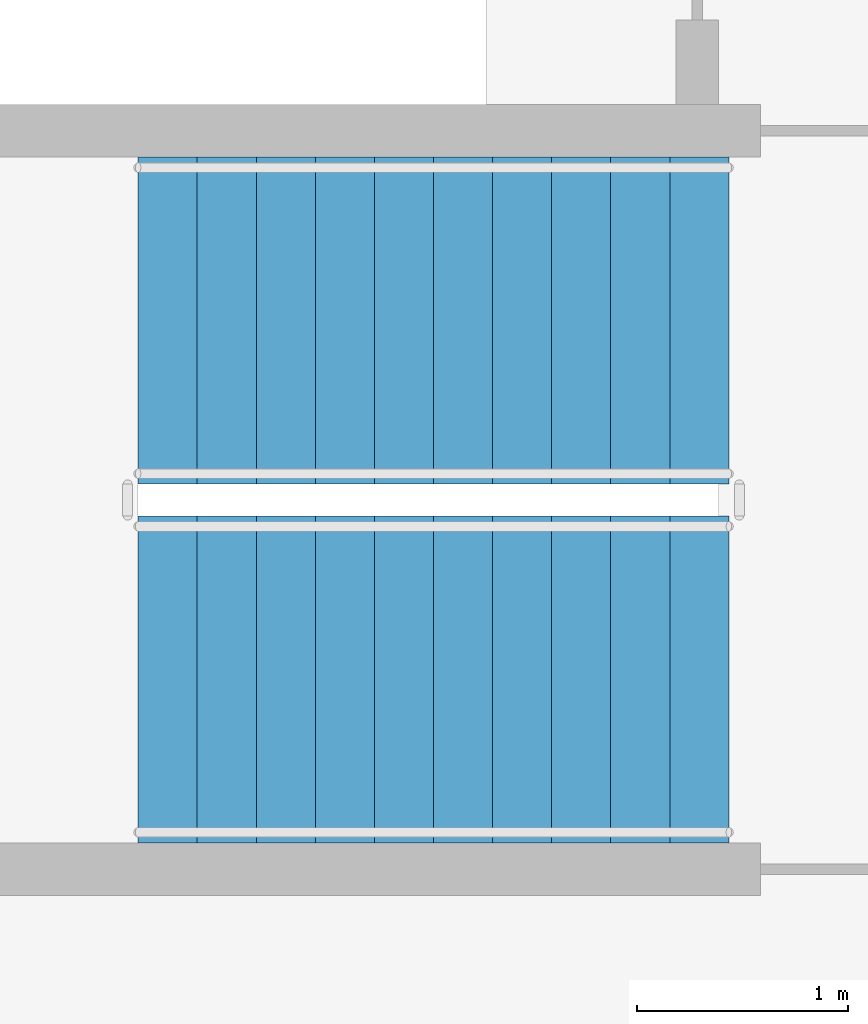
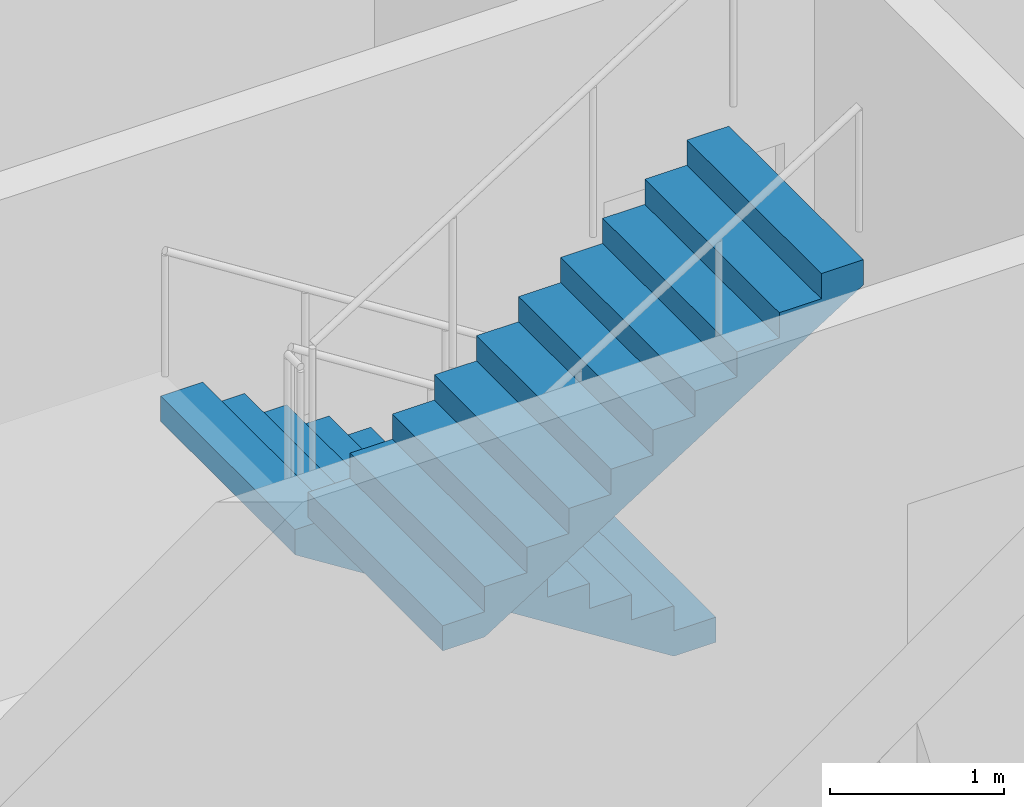
# One storey, part 9 of 18: 2 stair flights, 1 element without a shape of its own.
"""IFC4 building model written with IfcOpenShell, lengths in metres."""

from ifc_helpers import new_model, si_unit, direction, frame, origin, place, context, subcontext, project, spatial, polyline, outline, extrude, material, type_object, element, aggregate, save


model = new_model("IFC4")

# Units and contexts
model_context = context("Model", 3, precision=1e-05, world=origin(), true_north=direction((0.0, 1.0)))
body_context = subcontext(model_context, "Body", "Model", "MODEL_VIEW")
ifc_project = project(units=[si_unit("LENGTHUNIT", "METRE"), si_unit("AREAUNIT", "SQUARE_METRE"), si_unit("VOLUMEUNIT", "CUBIC_METRE"), si_unit("PLANEANGLEUNIT", "RADIAN"), si_unit("MASSUNIT", "GRAM", prefix="KILO")], contexts=[model_context])

# Site, building, storey
site_placement = place(None, origin())
site = spatial("IfcSite", under=ifc_project, at=site_placement, CompositionType="ELEMENT")
building_placement = place(site_placement, origin())
building = spatial("IfcBuilding", under=site, at=building_placement, Name="Dhurran Vertical Campus", CompositionType="ELEMENT")
storey_placement = place(building_placement, frame((0.0, 0.0, 30.0)))
storey = spatial("IfcBuildingStorey", under=building, at=storey_placement, Name="L06", CompositionType="ELEMENT", Elevation=30.0)

# Stair, stair flights
ifc_material_1 = material(Name="Concrete C40/50", Category="concrete")
stair_type = type_object("IfcStairType", Name="co-ST-CORE", PredefinedType="HALF_TURN_STAIR", material=ifc_material_1)
stair_placement = place(storey_placement, origin())
stair = element("IfcStair", 1, at=stair_placement, inside=storey, type_object=stair_type, Name="L06 Protected exit stair ST2", PredefinedType="HALF_TURN_STAIR")
ifc_material_2 = material(Name="Concrete C40/50", Category="concrete")
stair_flight_type = type_object("IfcStairFlightType", Name="co-SFL-RC", PredefinedType="STRAIGHT", material=ifc_material_2)
stair_flight_1_placement = place(storey_placement, frame((11.10009765625, 9.875, 0.0), z_axis=(0.0, 0.0, 1.0), x_axis=(-1.0, 0.0, 0.0)))
stair_flight_1 = element("IfcStairFlight", 2, at=stair_flight_1_placement, type_object=stair_flight_type, Name="ST2 flight 1", NumberOfRisers=11, NumberOfTreads=10, PredefinedType="STRAIGHT", RiserHeight=0.177272727, TreadLength=0.28, context=body_context, shape_type="SweptSolid", body=[
    extrude(outline(polyline([(0.0, 0.0), (0.0, 0.17724609375), (0.280029296875, 0.17724609375), (0.280029296875, 0.3544921875), (0.56005859375, 0.3544921875), (0.56005859375, 0.53173828125), (0.840087890625, 0.53173828125), (0.840087890625, 0.708984375), (1.1201171875, 0.708984375), (1.1201171875, 0.886474609375), (1.39990234375, 0.886474609375), (1.39990234375, 1.063720703125), (1.679931640625, 1.063720703125), (1.679931640625, 1.240966796875), (1.9599609375, 1.240966796875), (1.9599609375, 1.418212890625), (2.239990234375, 1.418212890625), (2.239990234375, 1.595458984375), (2.52001953125, 1.595458984375), (2.52001953125, 1.772705078125), (2.800048828125, 1.772705078125), (2.800048828125, 1.949951171875), (2.800048828125, 1.59521484375), (0.2802734375, 0.0), (0.0, 0.0)])), frame((0.0, 0.77490234375, 0.0), z_axis=(0.0, -1.0, 0.0), x_axis=(1.0, 0.0, 0.0)), (0.0, 0.0, 1.0), 1.550048828125),
])
stair_flight_2_placement = place(storey_placement, frame((8.300048828125, 8.175048828125, 1.949951171875), z_axis=(0.0, 0.0, 1.0), x_axis=(1.0, 0.0, 0.0)))
stair_flight_2 = element("IfcStairFlight", 3, at=stair_flight_2_placement, type_object=stair_flight_type, Name="ST2 flight 2", NumberOfRisers=11, NumberOfTreads=10, PredefinedType="STRAIGHT", RiserHeight=0.177272727, TreadLength=0.28, context=body_context, shape_type="SweptSolid", body=[
    extrude(outline(polyline([(0.0, 0.0), (0.0, 0.17724609375), (0.280029296875, 0.17724609375), (0.280029296875, 0.3544921875), (0.56005859375, 0.3544921875), (0.56005859375, 0.53173828125), (0.840087890625, 0.53173828125), (0.840087890625, 0.708984375), (1.1201171875, 0.708984375), (1.1201171875, 0.886474609375), (1.39990234375, 0.886474609375), (1.39990234375, 1.063720703125), (1.679931640625, 1.063720703125), (1.679931640625, 1.240966796875), (1.9599609375, 1.240966796875), (1.9599609375, 1.418212890625), (2.239990234375, 1.418212890625), (2.239990234375, 1.595458984375), (2.52001953125, 1.595458984375), (2.52001953125, 1.772705078125), (2.800048828125, 1.772705078125), (2.800048828125, 1.949951171875), (2.800048828125, 1.59521484375), (0.2802734375, 0.0), (0.0, 0.0)])), frame((0.0, 0.77490234375, 0.0), z_axis=(0.0, -1.0, 0.0), x_axis=(1.0, 0.0, 0.0)), (0.0, 0.0, 1.0), 1.550048828125),
])
aggregate(stair, [stair_flight_1, stair_flight_2])

save(model, "model.ifc")
